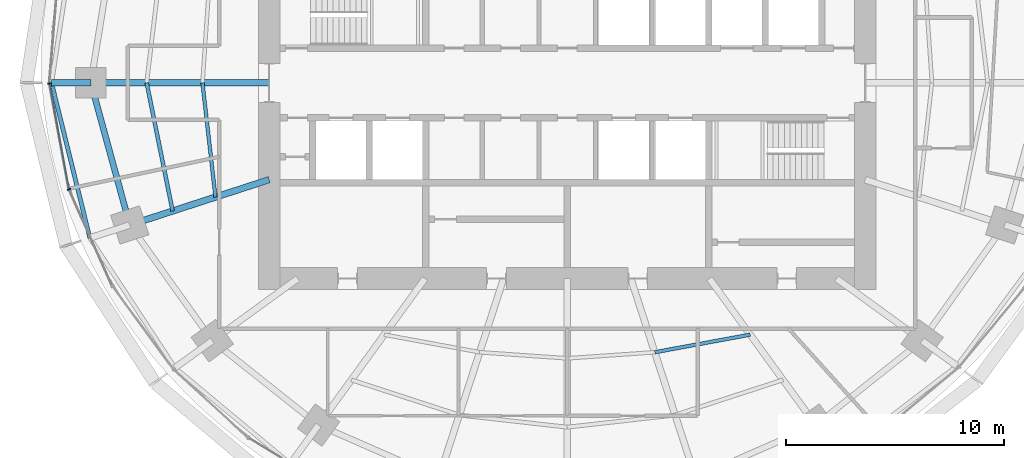
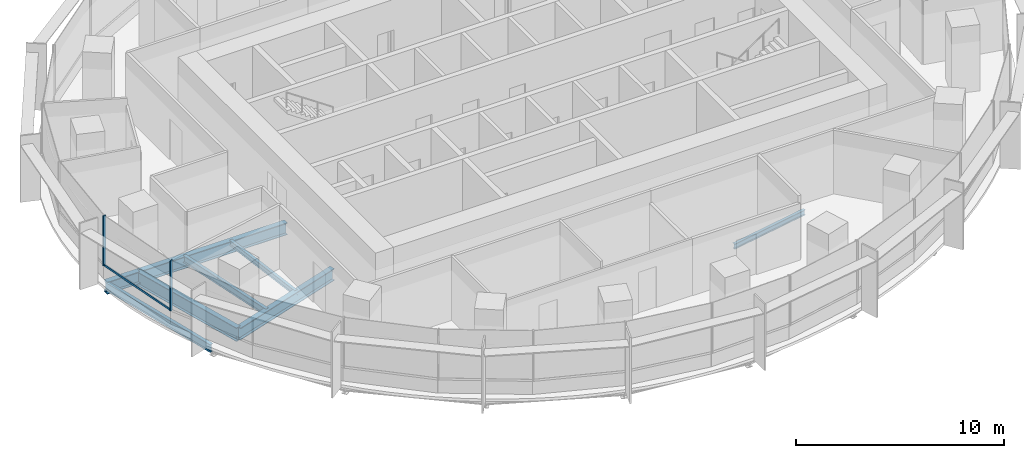
# One storey, part 3 of 14: 8 beams, 3 members, 1 element without a shape of its own.
"""IFC4 building model written with IfcOpenShell, lengths in metres."""

from ifc_helpers import new_model, si_unit, direction, frame, origin, origin_2d, place, context, subcontext, project, spatial, rectangle, i_section, extrude, material, material_profile, profile_set, type_object, element, aggregate, save


model = new_model("IFC4")

# Units and contexts
model_context = context("Model", 3, precision=1e-05, world=origin(), true_north=direction((0.0, 1.0)))
body_context = subcontext(model_context, "Body", "Model", "MODEL_VIEW")
ifc_project = project(units=[si_unit("LENGTHUNIT", "METRE"), si_unit("AREAUNIT", "SQUARE_METRE"), si_unit("VOLUMEUNIT", "CUBIC_METRE"), si_unit("PLANEANGLEUNIT", "RADIAN"), si_unit("MASSUNIT", "GRAM", prefix="KILO")], contexts=[model_context])

# Site, building, storey
site_placement = place(None, origin())
site = spatial("IfcSite", under=ifc_project, at=site_placement, CompositionType="ELEMENT")
building_placement = place(site_placement, origin())
building = spatial("IfcBuilding", under=site, at=building_placement, Name="Marramba Exchange Tower", CompositionType="ELEMENT")
storey_placement = place(building_placement, frame((0.0, 0.0, 203.300048828125)))
storey = spatial("IfcBuildingStorey", under=building, at=storey_placement, Name="L49", CompositionType="ELEMENT", Elevation=203.300048828125)

# Beams
ifc_material_1 = material(Name="Steel AS/NZS 3679.2 grade 300", Category="steel")
ifc_material_profile_1 = material_profile(ifc_material_1, i_section(OverallWidth=0.300048828125, OverallDepth=0.699951171875, WebThickness=0.010009765625, FlangeThickness=0.031982421875, at=origin_2d()), Name="700WB173")
ifc_profile_set_1 = profile_set([ifc_material_profile_1], Name="Steel AS/NZS 3679.2 grade 300")
beam_type_1 = type_object("IfcBeamType", Name="Cantilever girder 700WB173", PredefinedType="BEAM", material=ifc_profile_set_1)
beam_1_placement = place(storey_placement, frame((-21.89990234375, 0.0, -0.510009765625), z_axis=(-1.0, 0.0, 0.0), x_axis=(0.0, -1.0, 0.0)))
element("IfcBeam", 1, at=beam_1_placement, inside=storey, type_object=beam_type_1, Name="Cantilever girder L49 TC11", PredefinedType="BEAM", context=body_context, shape_type="SweptSolid", body=[
    extrude(i_section(OverallWidth=0.300048828125, OverallDepth=0.699951171875, WebThickness=0.010009765625, FlangeThickness=0.031982421875, at=origin_2d()), origin(), (0.0, 0.0, 1.0), 1.80615234375),
])
ifc_material_2 = material(Name="Steel AS/NZS 3679.1 grade 300", Category="steel")
ifc_material_profile_2 = material_profile(ifc_material_2, i_section(OverallWidth=0.166015625, OverallDepth=0.306884765625, WebThickness=0.006591796875, FlangeThickness=0.01171875, FilletRadius=0.011474609375, at=origin_2d()), Name="310UB46.2")
ifc_profile_set_2 = profile_set([ifc_material_profile_2], Name="Steel AS/NZS 3679.1 grade 300")
beam_type_2 = type_object("IfcBeamType", Name="Floor joist 310UB46.2", PredefinedType="JOIST", material=ifc_profile_set_2)
beam_2_placement = place(storey_placement, frame((-16.7666015625, 0.0, -0.3134765625), z_axis=(0.112888968594, -0.993607609054, 0.0), x_axis=(0.993607609054, 0.112888968594, 0.0)))
element("IfcBeam", 2, at=beam_2_placement, inside=storey, type_object=beam_type_2, Name="Joist L49 bay 11 row 1", PredefinedType="JOIST", context=body_context, shape_type="SweptSolid", body=[
    extrude(i_section(OverallWidth=0.166015625, OverallDepth=0.306884765625, WebThickness=0.006591796875, FlangeThickness=0.01171875, FilletRadius=0.011474609375, at=origin_2d()), origin(), (0.0, 0.0, 1.0), 5.28759765625),
])
beam_3_placement = place(storey_placement, frame((4.0244140625, -12.3857421875, -0.3134765625), z_axis=(0.983455754421, 0.181148500119, 0.0), x_axis=(-0.181148500119, 0.983455754421, 0.0)))
element("IfcBeam", 3, at=beam_3_placement, inside=storey, type_object=beam_type_2, Name="Joist L49 bay 17 row 1", PredefinedType="JOIST", context=body_context, shape_type="SweptSolid", body=[
    extrude(i_section(OverallWidth=0.166015625, OverallDepth=0.306884765625, WebThickness=0.006591796875, FlangeThickness=0.01171875, FilletRadius=0.011474609375, at=origin_2d()), origin(), (0.0, 0.0, 1.0), 4.4609375),
])
ifc_material_profile_3 = material_profile(ifc_material_2, i_section(OverallWidth=0.177978515625, OverallDepth=0.406005859375, WebThickness=0.0078125, FlangeThickness=0.0126953125, FilletRadius=0.011474609375, at=origin_2d()), Name="410UB59.7")
ifc_profile_set_3 = profile_set([ifc_material_profile_3], Name="Steel AS/NZS 3679.1 grade 300")
beam_type_3 = type_object("IfcBeamType", Name="Floor joist 410UB59.7", PredefinedType="JOIST", material=ifc_profile_set_3)
beam_4_placement = place(storey_placement, frame((-19.333251953125, 0.0, -0.363037109375), z_axis=(0.198489047047, -0.980103105904, 0.0), x_axis=(0.980103105904, 0.198489047047, 0.0)))
element("IfcBeam", 4, at=beam_4_placement, inside=storey, type_object=beam_type_3, Name="Joist L49 bay 11 row 2", PredefinedType="JOIST", context=body_context, shape_type="SweptSolid", body=[
    extrude(i_section(OverallWidth=0.177978515625, OverallDepth=0.406005859375, WebThickness=0.0078125, FlangeThickness=0.0126953125, FilletRadius=0.011474609375, at=origin_2d()), origin(), (0.0, 0.0, 1.0), 6.013427734375),
])

# Curtain wall, members
ifc_material_3 = material(Name="Aluminium framing, bronze anodised", Category="aluminium")
curtain_wall_type = type_object("IfcCurtainWallType", Name="Office ribbon curtain wall", PredefinedType="USERDEFINED", material=ifc_material_3)
curtain_wall_placement = place(storey_placement, origin())
curtain_wall = element("IfcCurtainWall", 5, at=curtain_wall_placement, inside=storey, type_object=curtain_wall_type, Name="Curtain wall CW4 L49 F16-F20", ObjectType="RIBBON CURTAIN WALL", PredefinedType="USERDEFINED")
ifc_material_4 = material(Name="Aluminium mullion, bronze anodised", Category="aluminium")
ifc_material_profile_4 = material_profile(ifc_material_4, rectangle(XDim=0.159912109375, YDim=0.06005859375, at=origin_2d()), Name="CW4 mullion 60x160")
ifc_profile_set_4 = profile_set([ifc_material_profile_4], Name="Aluminium mullion, bronze anodised")
member_type_1 = type_object("IfcMemberType", Name="Office ribbon curtain wall mullion", PredefinedType="MULLION", material=ifc_profile_set_4)
member_1_placement = place(storey_placement, frame((-23.800537109375, -0.029541015625, 0.800048828125), z_axis=(0.0, 0.0, 1.0), x_axis=(0.983606636184, 0.180327438996, 0.0)))
member_1 = element("IfcMember", 6, at=member_1_placement, type_object=member_type_1, Name="CW4 mullion 1", PredefinedType="MULLION", context=body_context, shape_type="SweptSolid", body=[
    extrude(rectangle(XDim=0.159912109375, YDim=0.06005859375, at=origin_2d()), origin(), (0.0, 0.0, 1.0), 2.93994140625),
])
member_2_placement = place(storey_placement, frame((-22.90087890625, -4.897705078125, 0.800048828125), z_axis=(0.0, 0.0, 1.0), x_axis=(0.913179510401, 0.407557580942, 0.0)))
member_2 = element("IfcMember", 7, at=member_2_placement, type_object=member_type_1, Name="CW4 mullion 1", PredefinedType="MULLION", context=body_context, shape_type="SweptSolid", body=[
    extrude(rectangle(XDim=0.159912109375, YDim=0.06005859375, at=origin_2d()), origin(), (0.0, 0.0, 1.0), 2.93994140625),
])
ifc_material_5 = material(Name="Aluminium transom, bronze anodised", Category="aluminium")
ifc_material_profile_5 = material_profile(ifc_material_5, rectangle(XDim=0.06005859375, YDim=0.1201171875, at=origin_2d()), Name="CW4 transom 60x120")
ifc_profile_set_5 = profile_set([ifc_material_profile_5], Name="Aluminium transom, bronze anodised")
member_type_2 = type_object("IfcMemberType", Name="Office ribbon curtain wall transom", PredefinedType="USERDEFINED", material=ifc_profile_set_5)
member_3_placement = place(storey_placement, frame((-23.795166015625, -0.05908203125, 0.829833984375), z_axis=(0.180330283276, -0.98360611473, 0.0), x_axis=(0.98360611473, 0.180330283276, 0.0)))
member_3 = element("IfcMember", 8, at=member_3_placement, type_object=member_type_2, Name="CW4 sill transom", ObjectType="TRANSOM", PredefinedType="USERDEFINED", context=body_context, shape_type="SweptSolid", body=[
    extrude(rectangle(XDim=0.06005859375, YDim=0.1201171875, at=origin_2d()), origin(), (0.0, 0.0, 1.0), 4.891357421875),
])
aggregate(curtain_wall, [member_1, member_3, member_2])

# Beams
ifc_material_profile_6 = material_profile(ifc_material_1, i_section(OverallWidth=0.300048828125, OverallDepth=0.699951171875, WebThickness=0.010009765625, FlangeThickness=0.031982421875, at=origin_2d()), Name="700WB173")
ifc_profile_set_6 = profile_set([ifc_material_profile_6], Name="Steel AS/NZS 3679.2 grade 300")
beam_type_4 = type_object("IfcBeamType", Name="Radial girder 700WB173", PredefinedType="BEAM", material=ifc_profile_set_6)
beam_5_placement = place(storey_placement, frame((-13.699951171875, 0.0, -0.510009765625), z_axis=(-1.0, 0.0, 0.0), x_axis=(0.0, -1.0, 0.0)))
element("IfcBeam", 9, at=beam_5_placement, inside=storey, type_object=beam_type_4, Name="Radial girder L49 TC11", PredefinedType="BEAM", context=body_context, shape_type="SweptSolid", body=[
    extrude(i_section(OverallWidth=0.300048828125, OverallDepth=0.699951171875, WebThickness=0.010009765625, FlangeThickness=0.031982421875, at=origin_2d()), origin(), (0.0, 0.0, 1.0), 8.199951171875),
])
beam_6_placement = place(storey_placement, frame((-13.699951171875, -4.451416015625, -0.510009765625), z_axis=(-0.951057759669, -0.309013167637, 0.0), x_axis=(0.309013167637, -0.951057759669, 0.0)))
element("IfcBeam", 10, at=beam_6_placement, inside=storey, type_object=beam_type_4, Name="Radial girder L49 TC12", PredefinedType="BEAM", context=body_context, shape_type="SweptSolid", body=[
    extrude(i_section(OverallWidth=0.300048828125, OverallDepth=0.699951171875, WebThickness=0.010009765625, FlangeThickness=0.031982421875, at=origin_2d()), origin(), (0.0, 0.0, 1.0), 6.7392578125),
])
ifc_material_profile_7 = material_profile(ifc_material_1, i_section(OverallWidth=0.27490234375, OverallDepth=0.800048828125, WebThickness=0.010009765625, FlangeThickness=0.02490234375, at=origin_2d()), Name="800WB168")
ifc_profile_set_7 = profile_set([ifc_material_profile_7], Name="Steel AS/NZS 3679.2 grade 300")
beam_type_5 = type_object("IfcBeamType", Name="Ring beam 800WB168", PredefinedType="SPANDREL", material=ifc_profile_set_7)
beam_7_placement = place(storey_placement, frame((-21.89990234375, 0.0, -0.56005859375), z_axis=(0.264291166956, -0.964442937176, 0.0), x_axis=(0.964442937176, 0.264291166956, 0.0)))
element("IfcBeam", 11, at=beam_7_placement, inside=storey, type_object=beam_type_5, Name="Ring beam L49 TC11-TC12", PredefinedType="SPANDREL", context=body_context, shape_type="SweptSolid", body=[
    extrude(i_section(OverallWidth=0.27490234375, OverallDepth=0.800048828125, WebThickness=0.010009765625, FlangeThickness=0.02490234375, at=origin_2d()), origin(), (0.0, 0.0, 1.0), 6.77490234375),
])
ifc_material_profile_8 = material_profile(ifc_material_2, i_section(OverallWidth=0.19091796875, OverallDepth=0.4599609375, WebThickness=0.010009765625, FlangeThickness=0.01611328125, FilletRadius=0.011474609375, at=origin_2d()), Name="460UB82.1")
ifc_profile_set_8 = profile_set([ifc_material_profile_8], Name="Steel AS/NZS 3679.1 grade 300")
beam_type_6 = type_object("IfcBeamType", Name="Slab edge beam 460UB82.1", PredefinedType="SPANDREL", material=ifc_profile_set_8)
beam_8_placement = place(storey_placement, frame((-23.7060546875, 0.0, -0.39013671875), z_axis=(0.23973454413, -0.970838476963, 0.0), x_axis=(0.970838476963, 0.23973454413, 0.0)))
element("IfcBeam", 12, at=beam_8_placement, inside=storey, type_object=beam_type_6, Name="Slab edge beam L49 TC11-TC12", PredefinedType="SPANDREL", context=body_context, shape_type="SweptSolid", body=[
    extrude(i_section(OverallWidth=0.19091796875, OverallDepth=0.4599609375, WebThickness=0.010009765625, FlangeThickness=0.01611328125, FilletRadius=0.011474609375, at=origin_2d()), origin(), (0.0, 0.0, 1.0), 7.344482421875),
])

save(model, "model.ifc")
